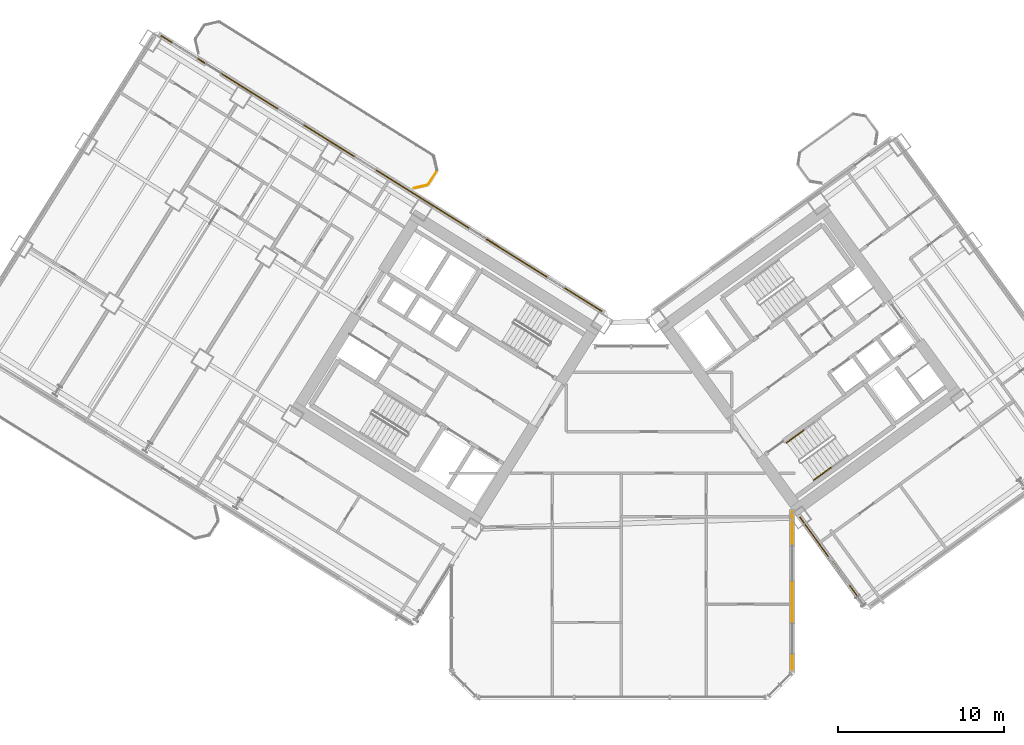
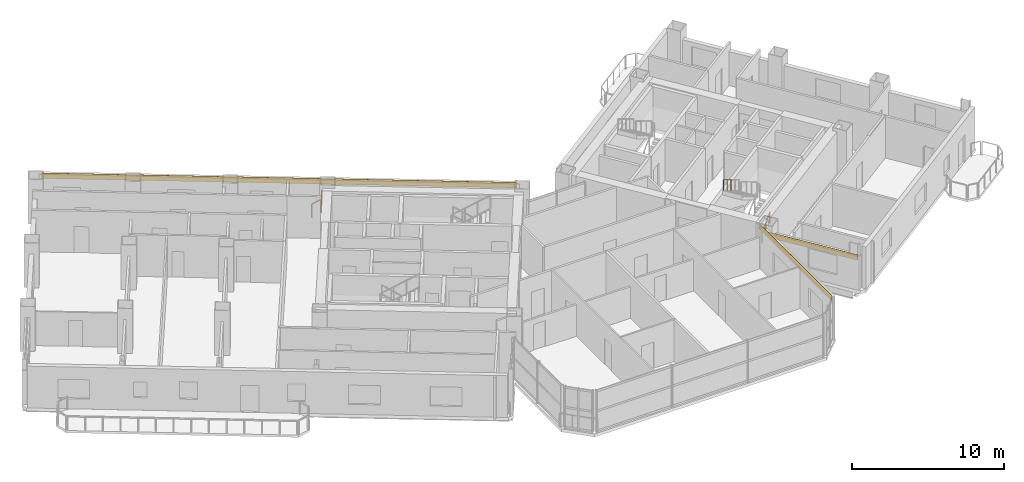
# One storey, part 25 of 28: 4 railings, 3 coverings.
"""IFC4 building model written with IfcOpenShell, lengths in metres."""

from ifc_helpers import new_model, si_unit, direction, frame, origin, origin_2d, place, context, subcontext, project, spatial, rectangle, extrude, source, transform, mapped, material, layer, layer_set, type_object, element, save


model = new_model("IFC4")

# Units and contexts
model_context = context("Model", 3, precision=1e-05, world=origin(), true_north=direction((0.0, 1.0)))
body_context = subcontext(model_context, "Body", "Model", "MODEL_VIEW")
ifc_project = project(units=[si_unit("LENGTHUNIT", "METRE"), si_unit("AREAUNIT", "SQUARE_METRE"), si_unit("VOLUMEUNIT", "CUBIC_METRE"), si_unit("PLANEANGLEUNIT", "RADIAN"), si_unit("MASSUNIT", "GRAM", prefix="KILO")], contexts=[model_context])

# Site, building, storey
site_placement = place(None, origin())
site = spatial("IfcSite", under=ifc_project, at=site_placement, CompositionType="ELEMENT")
building_placement = place(site_placement, origin())
building = spatial("IfcBuilding", under=site, at=building_placement, Name="Tlacorven Tower", CompositionType="ELEMENT")
storey_placement = place(building_placement, frame((0.0, 0.0, 42.0)))
storey = spatial("IfcBuildingStorey", under=building, at=storey_placement, Name="L10", CompositionType="ELEMENT", Elevation=42.0)

# Railings
ifc_material_1 = material(Name="Aluminium and painted steel balustrade", Category="steel")
railing_type_1 = type_object("IfcRailingType", Name="RL-BAL-1100", PredefinedType="BALUSTRADE", material=ifc_material_1)
shared_shape_1 = source(origin(), body_context, "Body", "SweptSolid", [
    extrude(rectangle(XDim=0.048095703125, YDim=0.048095703125, at=origin_2d()), frame((0.0, 0.0, 1.076171875), z_axis=(-0.52987865805, -0.848073468364, 0.0), x_axis=(0.848073468364, -0.52987865805, 0.0)), (0.0, 0.0, 1.0), 0.912353515625),
    extrude(rectangle(XDim=0.0419921875, YDim=0.0419921875, at=origin_2d()), origin(), (0.0, 0.0, 1.0), 1.052001953125),
    extrude(rectangle(XDim=0.0419921875, YDim=0.0419921875, at=origin_2d()), frame((-0.4833984375, -0.773681640625, 0.0)), (0.0, 0.0, 1.0), 1.052001953125),
])
railing_1_placement = place(storey_placement, frame((30.845947265625, 33.588623046875, 0.0)))
element("IfcRailing", 1, at=railing_1_placement, inside=storey, type_object=railing_type_1, Name="BAL-L10-W-IN Guard Railing 2", PredefinedType="BALUSTRADE", context=body_context, shape_type="MappedRepresentation", body=[
    mapped(shared_shape_1, transform((0.0, 0.0, 0.0), scale=1.0)),
])
shared_shape_2 = source(origin(), body_context, "Body", "SweptSolid", [
    extrude(rectangle(XDim=0.048095703125, YDim=0.048095703125, at=origin_2d()), frame((0.0, 0.0, 1.076171875), z_axis=(-0.974345290916, -0.225058334816, 0.0), x_axis=(0.225058334816, -0.974345290916, 0.0)), (0.0, 0.0, 1.0), 0.80712890625),
    extrude(rectangle(XDim=0.0419921875, YDim=0.0419921875, at=origin_2d()), origin(), (0.0, 0.0, 1.0), 1.052001953125),
    extrude(rectangle(XDim=0.0419921875, YDim=0.0419921875, at=origin_2d()), frame((-0.786376953125, -0.181640625, 0.0)), (0.0, 0.0, 1.0), 1.052001953125),
])
railing_2_placement = place(storey_placement, frame((30.287353515625, 32.761474609375, 0.0)))
element("IfcRailing", 2, at=railing_2_placement, inside=storey, type_object=railing_type_1, Name="BAL-L10-W-IN Guard Railing 3", PredefinedType="BALUSTRADE", context=body_context, shape_type="MappedRepresentation", body=[
    mapped(shared_shape_2, transform((0.0, 0.0, 0.0), scale=1.0)),
])

# Coverings
ifc_material_2 = material(Name="Precast concrete C45/55", Category="concrete")
ifc_layer = layer(ifc_material_2, 0.06005859375)
ifc_layer_set = layer_set([ifc_layer], Name="Precast concrete C45/55")
covering_type = type_object("IfcCoveringType", Name="CV-CLD-TERC", PredefinedType="CLADDING", material=ifc_layer_set)
shared_shape_3 = source(origin(), body_context, "Body", "SweptSolid", [
    extrude(rectangle(XDim=31.287353515625, YDim=0.06005859375, at=origin_2d()), origin(), (0.0, 0.0, 1.0), 0.419921875),
])
covering_1_placement = place(storey_placement, frame((27.5322265625, 33.455810546875, 2.929931640625), z_axis=(0.0, 0.0, 1.0), x_axis=(0.84804812172, -0.529919223323, 0.0)))
element("IfcCovering", 3, at=covering_1_placement, inside=storey, type_object=covering_type, Name="L10 Masonry-Frame Spandrel Cladding 3", PredefinedType="CLADDING", context=body_context, shape_type="MappedRepresentation", body=[
    mapped(shared_shape_3, transform((0.0, 0.0, 0.0), scale=1.0)),
])
shared_shape_4 = source(origin(), body_context, "Body", "SweptSolid", [
    extrude(rectangle(XDim=6.4736328125, YDim=0.06005859375, at=origin_2d()), origin(), (0.0, 0.0, 1.0), 0.419921875),
])
covering_2_placement = place(storey_placement, frame((54.59033203125, 10.178955078125, 2.304931640625), z_axis=(0.0, 0.0, 1.0), x_axis=(-0.587785622053, 0.809016725728, 0.0)))
element("IfcCovering", 4, at=covering_2_placement, inside=storey, type_object=covering_type, Name="L10 Masonry-Frame Spandrel Cladding 7", PredefinedType="CLADDING", context=body_context, shape_type="MappedRepresentation", body=[
    mapped(shared_shape_4, transform((0.0, 0.0, 0.0), scale=1.0)),
])
shared_shape_5 = source(origin(), body_context, "Body", "SweptSolid", [
    extrude(rectangle(XDim=9.49462890625, YDim=0.06005859375, at=origin_2d()), origin(), (0.0, 0.0, 1.0), 0.419921875),
])
covering_3_placement = place(storey_placement, frame((52.239990234375, 8.363525390625, 2.929931640625), z_axis=(0.0, 0.0, 1.0), x_axis=(0.0, -1.0, 0.0)))
element("IfcCovering", 5, at=covering_3_placement, inside=storey, type_object=covering_type, Name="L10 Masonry-Frame Spandrel Cladding 8", PredefinedType="CLADDING", context=body_context, shape_type="MappedRepresentation", body=[
    mapped(shared_shape_5, transform((0.0, 0.0, 0.0), scale=1.0)),
])

# Railings
railing_type_2 = type_object("IfcRailingType", Name="RL-HND-0900", PredefinedType="HANDRAIL", material=ifc_material_1)
shared_shape_6 = source(origin(), body_context, "Body", "SweptSolid", [
    extrude(rectangle(XDim=0.048095703125, YDim=0.048095703125, at=origin_2d()), frame((0.0, 0.0, 0.8759765625), z_axis=(-0.680461216233, -0.494495647917, 0.540783309093), x_axis=(0.587872112667, -0.808953879494, 0.0)), (0.0, 0.0, 1.0), 1.498046875),
    extrude(rectangle(XDim=0.0419921875, YDim=0.0419921875, at=origin_2d()), origin(), (0.0, 0.0, 1.0), 0.851806640625),
    extrude(rectangle(XDim=0.0419921875, YDim=0.0419921875, at=origin_2d()), frame((-0.509765625, -0.370361328125, 0.405029296875)), (0.0, 0.0, 1.0), 0.851806640625),
    extrude(rectangle(XDim=0.0419921875, YDim=0.0419921875, at=origin_2d()), frame((-1.019287109375, -0.74072265625, 0.81005859375)), (0.0, 0.0, 1.0), 0.851806640625),
])
railing_3_placement = place(storey_placement, frame((52.9189453125, 18.0087890625, 2.7900390625)))
element("IfcRailing", 6, at=railing_3_placement, inside=storey, type_object=railing_type_2, Name="L10 ST-E2 stair handrail 4", PredefinedType="HANDRAIL", context=body_context, shape_type="MappedRepresentation", body=[
    mapped(shared_shape_6, transform((0.0, 0.0, 0.0), scale=1.0)),
])
shared_shape_7 = source(origin(), body_context, "Body", "SweptSolid", [
    extrude(rectangle(XDim=0.048095703125, YDim=0.048095703125, at=origin_2d()), frame((0.0, 0.0, 0.8759765625), z_axis=(0.680461216233, 0.494495647917, 0.540783309093), x_axis=(-0.587872112667, 0.808953879494, 0.0)), (0.0, 0.0, 1.0), 1.498046875),
    extrude(rectangle(XDim=0.0419921875, YDim=0.0419921875, at=origin_2d()), origin(), (0.0, 0.0, 1.0), 0.851806640625),
    extrude(rectangle(XDim=0.0419921875, YDim=0.0419921875, at=origin_2d()), frame((0.509765625, 0.370361328125, 0.405029296875)), (0.0, 0.0, 1.0), 0.851806640625),
    extrude(rectangle(XDim=0.0419921875, YDim=0.0419921875, at=origin_2d()), frame((1.019287109375, 0.74072265625, 0.81005859375)), (0.0, 0.0, 1.0), 0.851806640625),
])
railing_4_placement = place(storey_placement, frame((53.53369140625, 15.01904296875, 0.179931640625)))
element("IfcRailing", 7, at=railing_4_placement, inside=storey, type_object=railing_type_2, Name="L10 ST-E2 stair handrail 1", PredefinedType="HANDRAIL", context=body_context, shape_type="MappedRepresentation", body=[
    mapped(shared_shape_7, transform((0.0, 0.0, 0.0), scale=1.0)),
])

save(model, "model.ifc")
